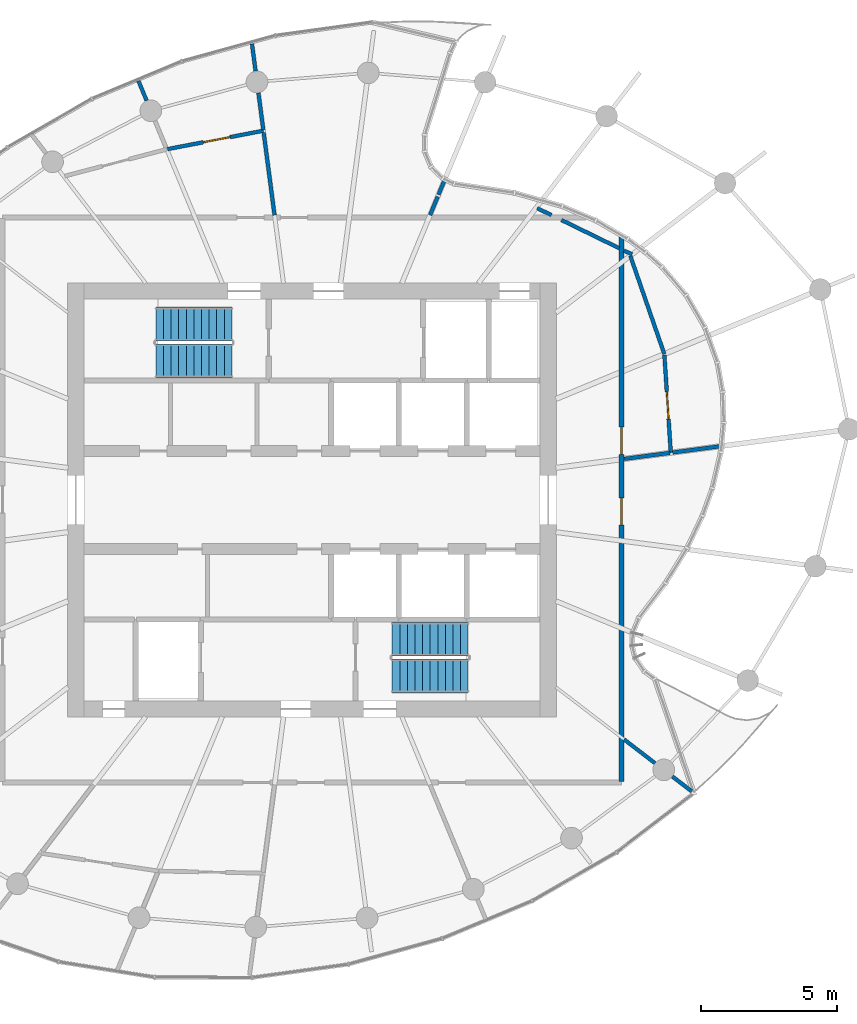
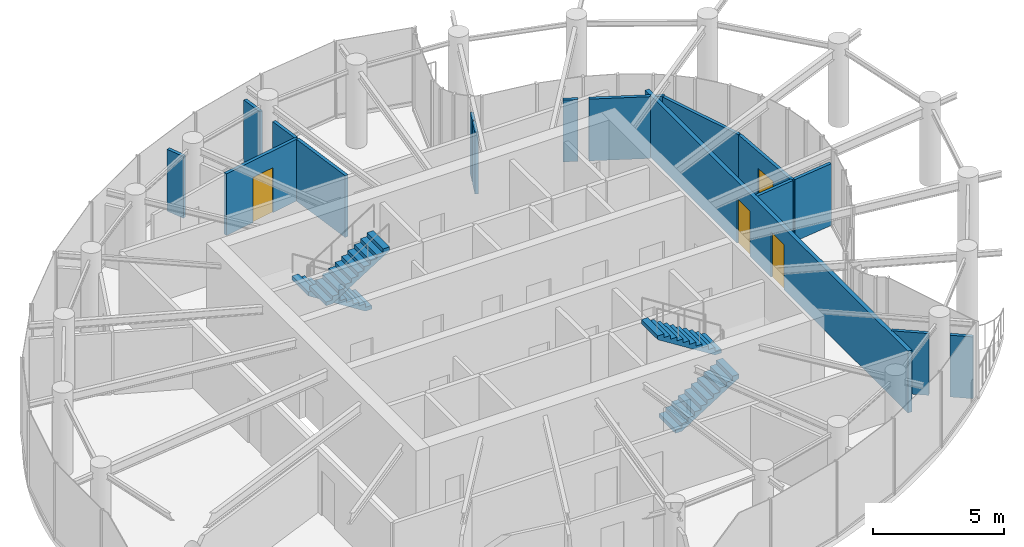
# One storey, part 12 of 14: 17 walls, 4 doors, 4 stair flights, 4 openings, 2 elements without a shape of their own.
"""IFC4 building model written with IfcOpenShell, lengths in metres."""

from ifc_helpers import new_model, si_unit, direction, frame, frame_2d, origin, place, context, subcontext, project, spatial, line, indexed_curve, rectangle, outline, extrude, source, transform, mapped, material, layer, layer_set, type_object, element, fill, aggregate, save


model = new_model("IFC4")

# Units and contexts
model_context = context("Model", 3, precision=1e-05, world=origin(), true_north=direction((0.0, 1.0)))
body_context = subcontext(model_context, "Body", "Model", "MODEL_VIEW")
ifc_project = project(units=[si_unit("LENGTHUNIT", "METRE"), si_unit("AREAUNIT", "SQUARE_METRE"), si_unit("VOLUMEUNIT", "CUBIC_METRE"), si_unit("PLANEANGLEUNIT", "RADIAN"), si_unit("MASSUNIT", "GRAM", prefix="KILO")], contexts=[model_context])

# Site, building, storey
site_placement = place(None, origin())
site = spatial("IfcSite", under=ifc_project, at=site_placement, CompositionType="ELEMENT")
building_placement = place(site_placement, origin())
building = spatial("IfcBuilding", under=site, at=building_placement, Name="Spindrift Exchange Tower", CompositionType="ELEMENT")
storey_placement = place(building_placement, frame((0.0, 0.0, 238.39990234375)))
storey = spatial("IfcBuildingStorey", under=building, at=storey_placement, Name="L58", CompositionType="ELEMENT", Elevation=238.39990234375)

# Wall, openings, doors
ifc_material_1 = material(Name="Fire-rated plasterboard partition", Category="gypsum")
ifc_layer_1 = layer(ifc_material_1, 0.179931640625)
ifc_layer_set_1 = layer_set([ifc_layer_1], Name="W-CORR-180")
wall_type_1 = type_object("IfcWallType", Name="W-CORR-180", PredefinedType="PARTITIONING", material=ifc_layer_set_1)
wall_1_placement = place(storey_placement, frame((63.39990234375, 57.686767578125, 0.0), z_axis=(0.0, 0.0, 1.0), x_axis=(0.0, -1.0, 0.0)))
wall_1 = element("IfcWall", 1, at=wall_1_placement, inside=storey, type_object=wall_type_1, Name="L58 Partition wall 30", PredefinedType="PARTITIONING", context=body_context, shape_type="SweptSolid", body=[
    extrude(rectangle(XDim=20.056884765625, YDim=0.179931640625, at=frame_2d((10.0283203125, 0.0))), origin(), (0.0, 0.0, 1.0), 2.880126953125),
])
opening_1_placement = place(wall_1_placement, frame((7.006591796875, 0.0, 0.0)))
opening_1 = element("IfcOpeningElement", 2, at=opening_1_placement, cuts=wall_1, Name="Opening L58-D19", PredefinedType="OPENING", context=body_context, shape_type="SweptSolid", body=[
    extrude(rectangle(XDim=1.0, YDim=2.10009765625, at=frame_2d((0.5, 1.050048828125))), frame((0.0, 0.099853515625, 0.0), z_axis=(0.0, -1.0, 0.0), x_axis=(1.0, 0.0, 0.0)), (0.0, 0.0, 1.0), 0.199951171875),
])
opening_2_placement = place(wall_1_placement, frame((9.606689453125, 0.0, 0.0)))
opening_2 = element("IfcOpeningElement", 3, at=opening_2_placement, cuts=wall_1, Name="Opening L58-D33", PredefinedType="OPENING", context=body_context, shape_type="SweptSolid", body=[
    extrude(rectangle(XDim=1.0, YDim=2.10009765625, at=frame_2d((0.5, 1.050048828125))), frame((0.0, 0.099853515625, 0.0), z_axis=(0.0, -1.0, 0.0), x_axis=(1.0, 0.0, 0.0)), (0.0, 0.0, 1.0), 0.199951171875),
])
ifc_material_2 = material(Name="Timber-core fire door", Category="wood")
door_type = type_object("IfcDoorType", Name="DR-ROOM-1000", OperationType="NOTDEFINED", PredefinedType="DOOR", material=ifc_material_2)
shared_shape = source(origin(), body_context, "Body", "SweptSolid", [
    extrude(rectangle(XDim=1.0, YDim=2.10009765625, at=frame_2d((0.5, 1.050048828125))), frame((0.0, 0.02490234375, 0.0), z_axis=(0.0, -1.0, 0.0), x_axis=(1.0, 0.0, 0.0)), (0.0, 0.0, 1.0), 0.050048828125),
])
door_1_placement = place(opening_1_placement, origin())
door_1 = element("IfcDoor", 4, at=door_1_placement, inside=storey, type_object=door_type, Name="L58 Door 19", OperationType="SINGLE_SWING_RIGHT", OverallHeight=2.10009765625, OverallWidth=1.0, PredefinedType="DOOR", context=body_context, shape_type="MappedRepresentation", body=[
    mapped(shared_shape, transform((0.0, 0.0, 0.0), scale=1.0)),
])
fill(opening_1, door_1)
door_2_placement = place(opening_2_placement, origin())
door_2 = element("IfcDoor", 5, at=door_2_placement, inside=storey, type_object=door_type, Name="L58 Door 33", OperationType="SINGLE_SWING_RIGHT", OverallHeight=2.10009765625, OverallWidth=1.0, PredefinedType="DOOR", context=body_context, shape_type="MappedRepresentation", body=[
    mapped(shared_shape, transform((0.0, 0.0, 0.0), scale=1.0)),
])
fill(opening_2, door_2)

# Wall
ifc_layer_2 = layer(ifc_material_1, 0.139892578125)
ifc_layer_set_2 = layer_set([ifc_layer_2], Name="W-PART-140")
wall_type_2 = type_object("IfcWallType", Name="W-PART-140", PredefinedType="PARTITIONING", material=ifc_layer_set_2)
wall_2_placement = place(storey_placement, frame((64.97412109375, 53.3740234375, 0.0), z_axis=(0.0, 0.0, 1.0), x_axis=(-0.327353545352, 0.944901929486, 0.0)))
element("IfcWall", 6, at=wall_2_placement, inside=storey, type_object=wall_type_2, Name="L58 Partition wall 37", PredefinedType="PARTITIONING", context=body_context, shape_type="SweptSolid", body=[
    extrude(rectangle(XDim=3.830322265625, YDim=0.139892578125, at=frame_2d((1.9150390625, 0.0))), origin(), (0.0, 0.0, 1.0), 2.880126953125),
])

# Wall, opening, door
wall_3_placement = place(storey_placement, frame((64.97607421875, 53.343994140625, 0.0), z_axis=(0.0, 0.0, 1.0), x_axis=(0.065289819009, -0.997866343522, 0.0)))
wall_3 = element("IfcWall", 7, at=wall_3_placement, inside=storey, type_object=wall_type_2, Name="L58 Partition wall 38", PredefinedType="PARTITIONING", context=body_context, shape_type="SweptSolid", body=[
    extrude(rectangle(XDim=3.6123046875, YDim=0.139892578125, at=frame_2d((1.80615234375, 0.0))), origin(), (0.0, 0.0, 1.0), 2.880126953125),
])
opening_3_placement = place(wall_3_placement, frame((1.3623046875, 0.0, 0.0)))
opening_3 = element("IfcOpeningElement", 8, at=opening_3_placement, cuts=wall_3, Name="Opening L58-D20", PredefinedType="OPENING", context=body_context, shape_type="SweptSolid", body=[
    extrude(rectangle(XDim=1.0, YDim=2.10009765625, at=frame_2d((0.5, 1.050048828125))), frame((0.0, 0.079833984375, 0.0), z_axis=(0.0, -1.0, 0.0), x_axis=(1.0, 0.0, 0.0)), (0.0, 0.0, 1.0), 0.159912109375),
])
door_3_placement = place(opening_3_placement, origin())
door_3 = element("IfcDoor", 9, at=door_3_placement, inside=storey, type_object=door_type, Name="L58 Door 20", OperationType="SINGLE_SWING_LEFT", OverallHeight=2.10009765625, OverallWidth=1.0, PredefinedType="DOOR", context=body_context, shape_type="MappedRepresentation", body=[
    mapped(shared_shape, transform((0.0, 0.0, 0.0), scale=1.0)),
])
fill(opening_3, door_3)

wall_4_placement = place(storey_placement, frame((46.67919921875, 60.92236328125, 0.0), z_axis=(0.0, 0.0, 1.0), x_axis=(0.982106581233, 0.188325949088, 0.0)))
wall_4 = element("IfcWall", 10, at=wall_4_placement, inside=storey, type_object=wall_type_2, Name="L58 Partition wall 39", PredefinedType="PARTITIONING", context=body_context, shape_type="SweptSolid", body=[
    extrude(rectangle(XDim=3.5947265625, YDim=0.139892578125, at=frame_2d((1.79736328125, 0.0))), origin(), (0.0, 0.0, 1.0), 2.880126953125),
])
opening_4_placement = place(wall_4_placement, frame((1.3447265625, 0.0, 0.0)))
opening_4 = element("IfcOpeningElement", 11, at=opening_4_placement, cuts=wall_4, Name="Opening L58-D23", PredefinedType="OPENING", context=body_context, shape_type="SweptSolid", body=[
    extrude(rectangle(XDim=1.0, YDim=2.10009765625, at=frame_2d((0.5, 1.050048828125))), frame((0.0, 0.079833984375, 0.0), z_axis=(0.0, -1.0, 0.0), x_axis=(1.0, 0.0, 0.0)), (0.0, 0.0, 1.0), 0.159912109375),
])
door_4_placement = place(opening_4_placement, origin())
door_4 = element("IfcDoor", 12, at=door_4_placement, inside=storey, type_object=door_type, Name="L58 Door 23", OperationType="SINGLE_SWING_RIGHT", OverallHeight=2.10009765625, OverallWidth=1.0, PredefinedType="DOOR", context=body_context, shape_type="MappedRepresentation", body=[
    mapped(shared_shape, transform((0.0, 0.0, 0.0), scale=1.0)),
])
fill(opening_4, door_4)

# Walls
wall_5_placement = place(storey_placement, frame((50.618896484375, 58.489990234375, 0.0), z_axis=(0.0, 0.0, 1.0), x_axis=(-0.130510127223, 0.991446976238, 0.0)))
element("IfcWall", 13, at=wall_5_placement, inside=storey, type_object=wall_type_2, Name="L58 Partition wall 42", PredefinedType="PARTITIONING", context=body_context, shape_type="SweptSolid", body=[
    extrude(rectangle(XDim=3.06591796875, YDim=0.139892578125, at=frame_2d((1.532958984375, 0.0))), origin(), (0.0, 0.0, 1.0), 2.880126953125),
])
wall_6_placement = place(storey_placement, frame((63.31005859375, 57.27392578125, 0.0), z_axis=(0.0, 0.0, 1.0), x_axis=(-0.898704875961, 0.438553925903, 0.0)))
element("IfcWall", 14, at=wall_6_placement, inside=storey, type_object=wall_type_2, Name="L58 Partition wall 44", PredefinedType="PARTITIONING", context=body_context, shape_type="SweptSolid", body=[
    extrude(rectangle(XDim=2.362548828125, YDim=0.139892578125, at=frame_2d((1.18115234375, 0.0))), origin(), (0.0, 0.0, 1.0), 2.880126953125),
])
wall_7_placement = place(storey_placement, frame((65.281494140625, 49.74853515625, 0.0), z_axis=(0.0, 0.0, 1.0), x_axis=(0.991453349724, 0.130461700587, 0.0)))
element("IfcWall", 15, at=wall_7_placement, inside=storey, type_object=wall_type_2, Name="L58 Partition wall 49", PredefinedType="PARTITIONING", context=body_context, shape_type="SweptSolid", body=[
    extrude(rectangle(XDim=1.75732421875, YDim=0.139892578125, at=frame_2d((0.878662109375, 0.0))), origin(), (0.0, 0.0, 1.0), 2.880126953125),
])
wall_8_placement = place(storey_placement, frame((63.489990234375, 49.5126953125, 0.0), z_axis=(0.0, 0.0, 1.0), x_axis=(0.99143529695, 0.130598820677, 0.0)))
element("IfcWall", 16, at=wall_8_placement, inside=storey, type_object=wall_type_2, Name="L58 Partition wall 50", PredefinedType="PARTITIONING", context=body_context, shape_type="SweptSolid", body=[
    extrude(rectangle(XDim=1.706787109375, YDim=0.139892578125, at=frame_2d((0.853515625, 0.0))), origin(), (0.0, 0.0, 1.0), 2.880126953125),
])
wall_9_placement = place(storey_placement, frame((63.489990234375, 39.183349609375, 0.0), z_axis=(0.0, 0.0, 1.0), x_axis=(0.793316945216, -0.608808857059, 0.0)))
element("IfcWall", 17, at=wall_9_placement, inside=storey, type_object=wall_type_2, Name="L58 Partition wall 53", PredefinedType="PARTITIONING", context=body_context, shape_type="SweptSolid", body=[
    extrude(rectangle(XDim=1.439697265625, YDim=0.139892578125, at=frame_2d((0.7197265625, 0.0))), origin(), (0.0, 0.0, 1.0), 2.880126953125),
])
wall_10_placement = place(storey_placement, frame((50.205810546875, 61.629150390625, 0.0), z_axis=(0.0, 0.0, 1.0), x_axis=(-0.130596609213, 0.991435588257, 0.0)))
element("IfcWall", 18, at=wall_10_placement, inside=storey, type_object=wall_type_2, Name="L58 Partition wall 56", PredefinedType="PARTITIONING", context=body_context, shape_type="SweptSolid", body=[
    extrude(rectangle(XDim=1.377685546875, YDim=0.139892578125, at=frame_2d((0.68896484375, 0.0))), origin(), (0.0, 0.0, 1.0), 2.880126953125),
])
wall_11_placement = place(storey_placement, frame((49.92041015625, 63.797119140625, 0.0), z_axis=(0.0, 0.0, 1.0), x_axis=(-0.130723280959, 0.99141889422, 0.0)))
element("IfcWall", 19, at=wall_11_placement, inside=storey, type_object=wall_type_2, Name="L58 Partition wall 61", PredefinedType="PARTITIONING", context=body_context, shape_type="SweptSolid", body=[
    extrude(rectangle(XDim=1.010498046875, YDim=0.139892578125, at=frame_2d((0.50537109375, 0.0))), origin(), (0.0, 0.0, 1.0), 2.880126953125),
])
wall_12_placement = place(storey_placement, frame((65.27392578125, 37.814453125, 0.0), z_axis=(0.0, 0.0, 1.0), x_axis=(0.793377017635, -0.608730570851, 0.0)))
element("IfcWall", 20, at=wall_12_placement, inside=storey, type_object=wall_type_2, Name="L58 Partition wall 63", PredefinedType="PARTITIONING", context=body_context, shape_type="SweptSolid", body=[
    extrude(rectangle(XDim=0.89111328125, YDim=0.139892578125, at=frame_2d((0.445556640625, 0.0))), origin(), (0.0, 0.0, 1.0), 2.880126953125),
])
wall_13_placement = place(storey_placement, frame((56.34521484375, 58.489990234375, 0.0), z_axis=(0.0, 0.0, 1.0), x_axis=(0.382635119576, 0.923899542844, 0.0)))
element("IfcWall", 21, at=wall_13_placement, inside=storey, type_object=wall_type_2, Name="L58 Partition wall 66", PredefinedType="PARTITIONING", context=body_context, shape_type="SweptSolid", body=[
    extrude(rectangle(XDim=0.735595703125, YDim=0.139892578125, at=frame_2d((0.36767578125, 0.0))), origin(), (0.0, 0.0, 1.0), 2.880126953125),
])
wall_14_placement = place(storey_placement, frame((45.90771484375, 62.708251953125, 0.0), z_axis=(0.0, 0.0, 1.0), x_axis=(-0.382736533707, 0.923857535427, 0.0)))
element("IfcWall", 22, at=wall_14_placement, inside=storey, type_object=wall_type_2, Name="L58 Partition wall 67", PredefinedType="PARTITIONING", context=body_context, shape_type="SweptSolid", body=[
    extrude(rectangle(XDim=0.78466796875, YDim=0.139892578125, at=frame_2d((0.392333984375, 0.0))), origin(), (0.0, 0.0, 1.0), 2.880126953125),
])
wall_15_placement = place(storey_placement, frame((60.81787109375, 58.489990234375, 0.0), z_axis=(0.0, 0.0, 1.0), x_axis=(-0.898744271836, 0.43847318486, 0.0)))
element("IfcWall", 23, at=wall_15_placement, inside=storey, type_object=wall_type_2, Name="L58 Partition wall 69", PredefinedType="PARTITIONING", context=body_context, shape_type="SweptSolid", body=[
    extrude(rectangle(XDim=0.58251953125, YDim=0.139892578125, at=frame_2d((0.291259765625, 0.0))), origin(), (0.0, 0.0, 1.0), 2.880126953125),
])
wall_16_placement = place(storey_placement, frame((56.65771484375, 59.244873046875, 0.0), z_axis=(0.0, 0.0, 1.0), x_axis=(0.382657697953, 0.923890191634, 0.0)))
element("IfcWall", 24, at=wall_16_placement, inside=storey, type_object=wall_type_2, Name="L58 Partition wall 70", PredefinedType="PARTITIONING", context=body_context, shape_type="SweptSolid", body=[
    extrude(rectangle(XDim=0.540283203125, YDim=0.139892578125, at=frame_2d((0.27001953125, 0.0))), origin(), (0.0, 0.0, 1.0), 2.880126953125),
])
wall_17_placement = place(storey_placement, frame((63.7841796875, 57.04248046875, 0.0), z_axis=(0.0, 0.0, 1.0), x_axis=(-0.898711094884, 0.43854118157, 0.0)))
element("IfcWall", 25, at=wall_17_placement, inside=storey, type_object=wall_type_2, Name="L58 Partition wall 71", PredefinedType="PARTITIONING", context=body_context, shape_type="SweptSolid", body=[
    extrude(rectangle(XDim=0.327392578125, YDim=0.139892578125, at=frame_2d((0.16357421875, 0.0))), origin(), (0.0, 0.0, 1.0), 2.880126953125),
])

# Stair, stair flights
ifc_material_3 = material(Name="Concrete 50 MPa", Category="concrete")
stair_type = type_object("IfcStairType", Name="ST-1250-R177", PredefinedType="HALF_TURN_STAIR", material=ifc_material_3)
stair_1_placement = place(storey_placement, origin())
stair_1 = element("IfcStair", 26, at=stair_1_placement, inside=storey, type_object=stair_type, Name="L58 Exit stair ST1", PredefinedType="HALF_TURN_STAIR")
stair_flight_type = type_object("IfcStairFlightType", Name="STF-1250-R177", PredefinedType="STRAIGHT", material=ifc_material_3)
stair_flight_1_placement = place(storey_placement, frame((49.050048828125, 54.47509765625, 0.0), z_axis=(0.0, 0.0, 1.0), x_axis=(-1.0, 0.0, 0.0)))
stair_flight_1 = element("IfcStairFlight", 27, at=stair_flight_1_placement, type_object=stair_flight_type, Name="ST1 flight 1", NumberOfRisers=11, NumberOfTreads=10, PredefinedType="STRAIGHT", RiserHeight=0.177272727, TreadLength=0.28, context=body_context, shape_type="SweptSolid", body=[
    extrude(outline(indexed_curve([(0.0, 0.0), (0.0, 0.177734375), (0.2802734375, 0.177734375), (0.2802734375, 0.3544921875), (0.5595703125, 0.3544921875), (0.5595703125, 0.5322265625), (0.83984375, 0.5322265625), (0.83984375, 0.708984375), (1.1201171875, 0.708984375), (1.1201171875, 0.88671875), (1.400390625, 0.88671875), (1.400390625, 1.0634765625), (1.6796875, 1.0634765625), (1.6796875, 1.2412109375), (1.9599609375, 1.2412109375), (1.9599609375, 1.41796875), (2.240234375, 1.41796875), (2.240234375, 1.595703125), (2.51953125, 1.595703125), (2.51953125, 1.7724609375), (2.7998046875, 1.7724609375), (2.7998046875, 1.9501953125), (2.7998046875, 1.595703125), (0.2802734375, 0.0)], segments=[line(1, 2, 3, 4, 5, 6, 7, 8, 9, 10, 11, 12, 13, 14, 15, 16, 17, 18, 19, 20, 21, 22, 23, 24, 1)], self_intersect=False)), frame((0.0, 0.625, 0.0), z_axis=(0.0, -1.0, 0.0), x_axis=(1.0, 0.0, 0.0)), (0.0, 0.0, 1.0), 1.25),
])
stair_flight_2_placement = place(storey_placement, frame((46.25, 53.125, 1.9501953125), z_axis=(0.0, 0.0, 1.0), x_axis=(1.0, 0.0, 0.0)))
stair_flight_2 = element("IfcStairFlight", 28, at=stair_flight_2_placement, type_object=stair_flight_type, Name="ST1 flight 2", NumberOfRisers=11, NumberOfTreads=10, PredefinedType="STRAIGHT", RiserHeight=0.177272727, TreadLength=0.28, context=body_context, shape_type="SweptSolid", body=[
    extrude(outline(indexed_curve([(0.0, 0.0), (0.0, 0.177734375), (0.2802734375, 0.177734375), (0.2802734375, 0.3544921875), (0.5595703125, 0.3544921875), (0.5595703125, 0.5322265625), (0.83984375, 0.5322265625), (0.83984375, 0.708984375), (1.1201171875, 0.708984375), (1.1201171875, 0.88671875), (1.400390625, 0.88671875), (1.400390625, 1.0634765625), (1.6796875, 1.0634765625), (1.6796875, 1.2412109375), (1.9599609375, 1.2412109375), (1.9599609375, 1.41796875), (2.240234375, 1.41796875), (2.240234375, 1.595703125), (2.51953125, 1.595703125), (2.51953125, 1.7724609375), (2.7998046875, 1.7724609375), (2.7998046875, 1.9501953125), (2.7998046875, 1.595703125), (0.2802734375, 0.0)], segments=[line(1, 2, 3, 4, 5, 6, 7, 8, 9, 10, 11, 12, 13, 14, 15, 16, 17, 18, 19, 20, 21, 22, 23, 24, 1)], self_intersect=False)), frame((0.0, 0.625, 0.0), z_axis=(0.0, -1.0, 0.0), x_axis=(1.0, 0.0, 0.0)), (0.0, 0.0, 1.0), 1.25),
])
aggregate(stair_1, [stair_flight_1, stair_flight_2])

stair_2_placement = place(storey_placement, origin())
stair_2 = element("IfcStair", 29, at=stair_2_placement, inside=storey, type_object=stair_type, Name="L58 Exit stair ST2", PredefinedType="HALF_TURN_STAIR")
stair_flight_3_placement = place(storey_placement, frame((54.949951171875, 41.52490234375, 0.0), z_axis=(0.0, 0.0, 1.0), x_axis=(1.0, 0.0, 0.0)))
stair_flight_3 = element("IfcStairFlight", 30, at=stair_flight_3_placement, type_object=stair_flight_type, Name="ST2 flight 1", NumberOfRisers=11, NumberOfTreads=10, PredefinedType="STRAIGHT", RiserHeight=0.177272727, TreadLength=0.28, context=body_context, shape_type="SweptSolid", body=[
    extrude(outline(indexed_curve([(0.0, 0.0), (0.0, 0.177734375), (0.2802734375, 0.177734375), (0.2802734375, 0.3544921875), (0.5595703125, 0.3544921875), (0.5595703125, 0.5322265625), (0.83984375, 0.5322265625), (0.83984375, 0.708984375), (1.1201171875, 0.708984375), (1.1201171875, 0.88671875), (1.400390625, 0.88671875), (1.400390625, 1.0634765625), (1.6796875, 1.0634765625), (1.6796875, 1.2412109375), (1.9599609375, 1.2412109375), (1.9599609375, 1.41796875), (2.240234375, 1.41796875), (2.240234375, 1.595703125), (2.51953125, 1.595703125), (2.51953125, 1.7724609375), (2.7998046875, 1.7724609375), (2.7998046875, 1.9501953125), (2.7998046875, 1.595703125), (0.2802734375, 0.0)], segments=[line(1, 2, 3, 4, 5, 6, 7, 8, 9, 10, 11, 12, 13, 14, 15, 16, 17, 18, 19, 20, 21, 22, 23, 24, 1)], self_intersect=False)), frame((0.0, 0.625, 0.0), z_axis=(0.0, -1.0, 0.0), x_axis=(1.0, 0.0, 0.0)), (0.0, 0.0, 1.0), 1.25),
])
stair_flight_4_placement = place(storey_placement, frame((57.75, 42.875, 1.9501953125), z_axis=(0.0, 0.0, 1.0), x_axis=(-1.0, 0.0, 0.0)))
stair_flight_4 = element("IfcStairFlight", 31, at=stair_flight_4_placement, type_object=stair_flight_type, Name="ST2 flight 2", NumberOfRisers=11, NumberOfTreads=10, PredefinedType="STRAIGHT", RiserHeight=0.177272727, TreadLength=0.28, context=body_context, shape_type="SweptSolid", body=[
    extrude(outline(indexed_curve([(0.0, 0.0), (0.0, 0.177734375), (0.2802734375, 0.177734375), (0.2802734375, 0.3544921875), (0.5595703125, 0.3544921875), (0.5595703125, 0.5322265625), (0.83984375, 0.5322265625), (0.83984375, 0.708984375), (1.1201171875, 0.708984375), (1.1201171875, 0.88671875), (1.400390625, 0.88671875), (1.400390625, 1.0634765625), (1.6796875, 1.0634765625), (1.6796875, 1.2412109375), (1.9599609375, 1.2412109375), (1.9599609375, 1.41796875), (2.240234375, 1.41796875), (2.240234375, 1.595703125), (2.51953125, 1.595703125), (2.51953125, 1.7724609375), (2.7998046875, 1.7724609375), (2.7998046875, 1.9501953125), (2.7998046875, 1.595703125), (0.2802734375, 0.0)], segments=[line(1, 2, 3, 4, 5, 6, 7, 8, 9, 10, 11, 12, 13, 14, 15, 16, 17, 18, 19, 20, 21, 22, 23, 24, 1)], self_intersect=False)), frame((0.0, 0.625, 0.0), z_axis=(0.0, -1.0, 0.0), x_axis=(1.0, 0.0, 0.0)), (0.0, 0.0, 1.0), 1.25),
])
aggregate(stair_2, [stair_flight_3, stair_flight_4])

save(model, "model.ifc")
